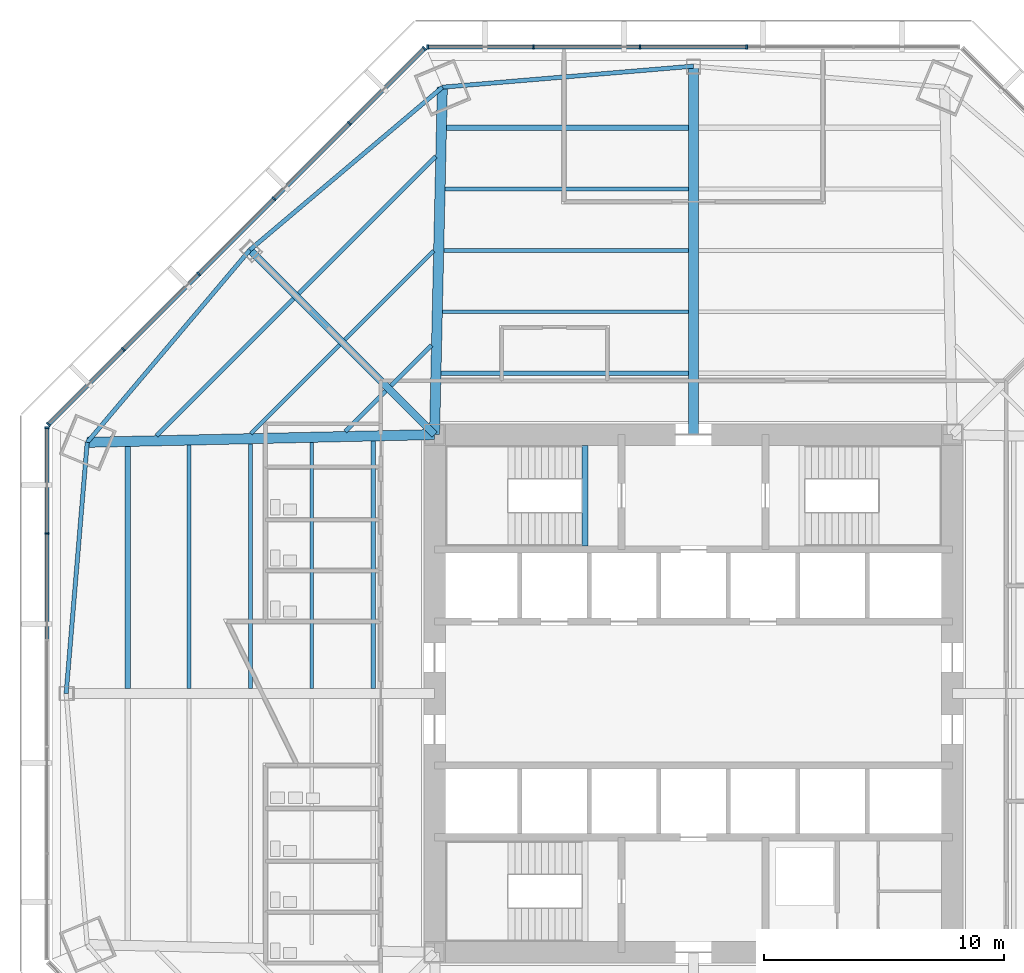
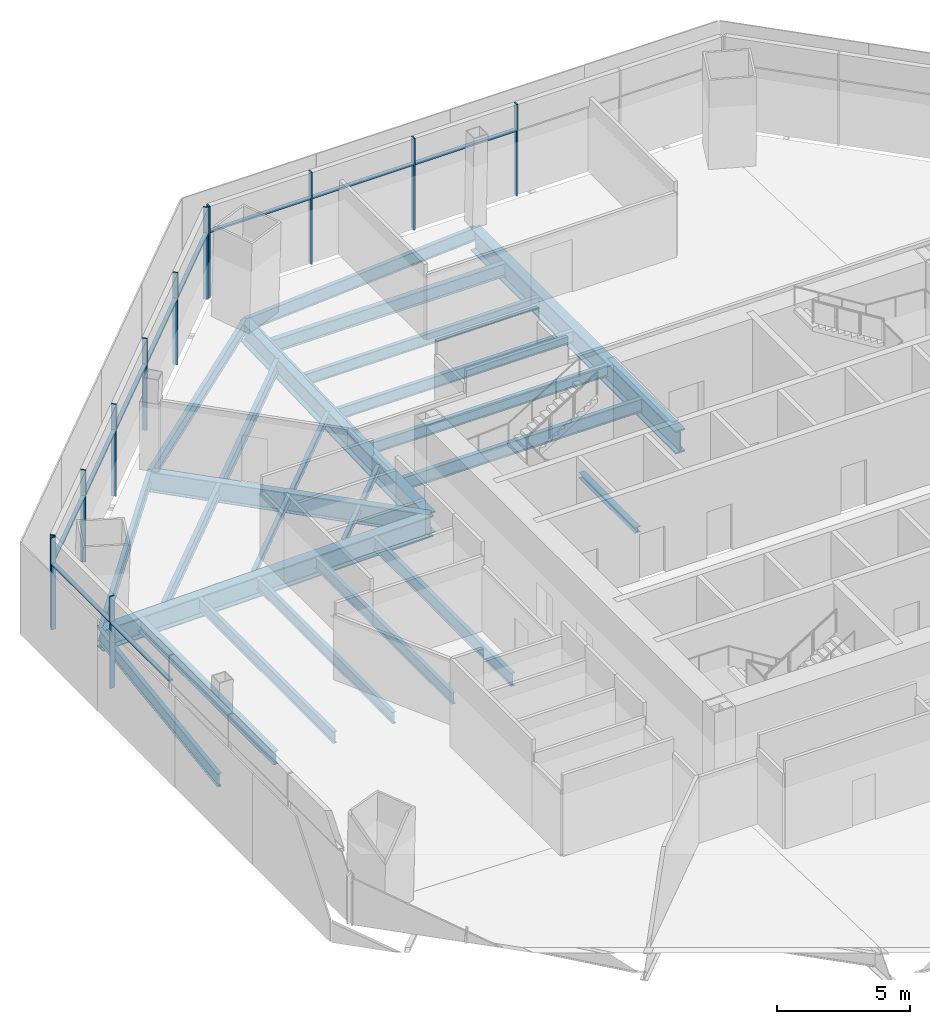
# One storey, part 5 of 15: 25 beams, 22 members, 3 elements without a shape of their own.
"""IFC4 building model written with IfcOpenShell, lengths in metres."""

from ifc_helpers import new_model, si_unit, direction, frame, origin, origin_2d, place, context, subcontext, project, spatial, rectangle, i_section, extrude, source, transform, mapped, material, material_profile, profile_set, type_object, type_shapes, element, aggregate, save


model = new_model("IFC4")

# Units and contexts
model_context = context("Model", 3, precision=1e-05, world=origin(), true_north=direction((0.0, 1.0)))
body_context = subcontext(model_context, "Body", "Model", "MODEL_VIEW")
ifc_project = project(units=[si_unit("LENGTHUNIT", "METRE"), si_unit("AREAUNIT", "SQUARE_METRE"), si_unit("VOLUMEUNIT", "CUBIC_METRE"), si_unit("PLANEANGLEUNIT", "RADIAN"), si_unit("MASSUNIT", "GRAM", prefix="KILO")], contexts=[model_context])

# Site, building, storey
site_placement = place(None, origin())
site = spatial("IfcSite", under=ifc_project, at=site_placement, CompositionType="ELEMENT")
building_placement = place(site_placement, origin())
building = spatial("IfcBuilding", under=site, at=building_placement, Name="Mashrafa Tower", CompositionType="ELEMENT")
storey_placement = place(building_placement, frame((0.0, 0.0, 37.199951171875)))
storey = spatial("IfcBuildingStorey", under=building, at=storey_placement, Name="L07", CompositionType="ELEMENT", Elevation=37.199951171875)

# Beams
ifc_material_1 = material(Name="Steel ASTM A992", Category="steel")
ifc_material_profile_1 = material_profile(ifc_material_1, i_section(OverallWidth=0.164794921875, OverallDepth=0.309814453125, WebThickness=0.005859375, FlangeThickness=0.009765625, FilletRadius=0.007568359375, at=origin_2d()), Name="W12X26")
ifc_profile_set_1 = profile_set([ifc_material_profile_1], Name="Steel ASTM A992")
beam_type_1 = type_object("IfcBeamType", Name="Beam W12X26", PredefinedType="BEAM", material=ifc_profile_set_1)
beam_1_placement = place(storey_placement, frame((-18.462646484375, 10.84033203125, -0.31982421875), z_axis=(0.707106781187, 0.707106781187, 0.0), x_axis=(-0.707106781187, 0.707106781187, 0.0)))
element("IfcBeam", 1, at=beam_1_placement, inside=storey, type_object=beam_type_1, Name="Floor beam L07 006", PredefinedType="BEAM", context=body_context, shape_type="SweptSolid", body=[
    extrude(i_section(OverallWidth=0.164794921875, OverallDepth=0.309814453125, WebThickness=0.005859375, FlangeThickness=0.009765625, FilletRadius=0.007568359375, at=origin_2d()), origin(), (0.0, 0.0, 1.0), 5.236083984375),
])
beam_2_placement = place(storey_placement, frame((-14.522705078125, 10.9287109375, -0.31982421875), z_axis=(0.707106781187, 0.707106781187, 0.0), x_axis=(-0.707106781187, 0.707106781187, 0.0)))
element("IfcBeam", 2, at=beam_2_placement, inside=storey, type_object=beam_type_1, Name="Floor beam L07 013", PredefinedType="BEAM", context=body_context, shape_type="SweptSolid", body=[
    extrude(i_section(OverallWidth=0.164794921875, OverallDepth=0.309814453125, WebThickness=0.005859375, FlangeThickness=0.009765625, FilletRadius=0.007568359375, at=origin_2d()), origin(), (0.0, 0.0, 1.0), 2.387451171875),
])
beam_3_placement = place(storey_placement, frame((-14.542724609375, 14.76025390625, -0.31982421875), z_axis=(0.707106781187, 0.707106781187, 0.0), x_axis=(-0.707106781187, 0.707106781187, 0.0)))
element("IfcBeam", 3, at=beam_3_placement, inside=storey, type_object=beam_type_1, Name="Floor beam L07 015", PredefinedType="BEAM", context=body_context, shape_type="SweptSolid", body=[
    extrude(i_section(OverallWidth=0.164794921875, OverallDepth=0.309814453125, WebThickness=0.005859375, FlangeThickness=0.009765625, FilletRadius=0.007568359375, at=origin_2d()), origin(), (0.0, 0.0, 1.0), 5.236083984375),
])
beam_4_placement = place(storey_placement, frame((-12.616943359375, 12.83447265625, -0.31982421875), z_axis=(0.707106781187, 0.707106781187, 0.0), x_axis=(-0.707106781187, 0.707106781187, 0.0)))
element("IfcBeam", 4, at=beam_4_placement, inside=storey, type_object=beam_type_1, Name="Floor beam L07 019", PredefinedType="BEAM", context=body_context, shape_type="SweptSolid", body=[
    extrude(i_section(OverallWidth=0.164794921875, OverallDepth=0.309814453125, WebThickness=0.005859375, FlangeThickness=0.009765625, FilletRadius=0.007568359375, at=origin_2d()), origin(), (0.0, 0.0, 1.0), 2.387451171875),
])
ifc_material_2 = material(Name="Steel ASTM A992", Category="steel")
ifc_material_profile_2 = material_profile(ifc_material_2, i_section(OverallWidth=0.165771484375, OverallDepth=0.5283203125, WebThickness=0.009765625, FlangeThickness=0.013671875, FilletRadius=0.012939453125, at=origin_2d()), Name="W21X50")
ifc_profile_set_2 = profile_set([ifc_material_profile_2], Name="Steel ASTM A992")
beam_type_2 = type_object("IfcBeamType", Name="Beam W21X50", PredefinedType="BEAM", material=ifc_profile_set_2)
beam_5_placement = place(storey_placement, frame((-21.044677734375, 0.20458984375, -0.42919921875), z_axis=(0.0, 1.0, 0.0), x_axis=(-1.0, 0.0, 0.0)))
element("IfcBeam", 5, at=beam_5_placement, inside=storey, type_object=beam_type_2, Name="Floor beam L07 005", PredefinedType="BEAM", context=body_context, shape_type="SweptSolid", body=[
    extrude(i_section(OverallWidth=0.165771484375, OverallDepth=0.5283203125, WebThickness=0.009765625, FlangeThickness=0.013671875, FilletRadius=0.012939453125, at=origin_2d()), origin(), (0.0, 0.0, 1.0), 10.153564453125),
])
beam_6_placement = place(storey_placement, frame((-18.4833984375, 0.20458984375, -0.42919921875), z_axis=(0.0, 1.0, 0.0), x_axis=(-1.0, 0.0, 0.0)))
element("IfcBeam", 6, at=beam_6_placement, inside=storey, type_object=beam_type_2, Name="Floor beam L07 008", PredefinedType="BEAM", context=body_context, shape_type="SweptSolid", body=[
    extrude(i_section(OverallWidth=0.165771484375, OverallDepth=0.5283203125, WebThickness=0.009765625, FlangeThickness=0.013671875, FilletRadius=0.012939453125, at=origin_2d()), origin(), (0.0, 0.0, 1.0), 10.2109375),
])
for number, where, z_axis, x_axis, name in (
    (7, (-15.92236328125, 0.20458984375, -0.42919921875), (0.0, 1.0, 0.0), (-1.0, 0.0, 0.0), "Floor beam L07 012"),
    (8, (-10.472900390625, 15.92236328125, -0.42919921875), (1.0, 0.0, 0.0), (0.0, 1.0, 0.0), "Floor beam L07 022"),
):
    element("IfcBeam", number, at=place(storey_placement, frame(where, z_axis=z_axis, x_axis=x_axis)), inside=storey, type_object=beam_type_2, Name=name, PredefinedType="BEAM", context=body_context, shape_type="SweptSolid", body=[
        extrude(i_section(OverallWidth=0.165771484375, OverallDepth=0.5283203125, WebThickness=0.009765625, FlangeThickness=0.013671875, FilletRadius=0.012939453125, at=origin_2d()), origin(), (0.0, 0.0, 1.0), 10.268310546875),
    ])
beam_7_placement = place(storey_placement, frame((-10.41552734375, 18.4833984375, -0.42919921875), z_axis=(1.0, 0.0, 0.0), x_axis=(0.0, 1.0, 0.0)))
element("IfcBeam", 9, at=beam_7_placement, inside=storey, type_object=beam_type_2, Name="Floor beam L07 023", PredefinedType="BEAM", context=body_context, shape_type="SweptSolid", body=[
    extrude(i_section(OverallWidth=0.165771484375, OverallDepth=0.5283203125, WebThickness=0.009765625, FlangeThickness=0.013671875, FilletRadius=0.012939453125, at=origin_2d()), origin(), (0.0, 0.0, 1.0), 10.2109375),
])
beam_8_placement = place(storey_placement, frame((-10.358154296875, 21.044677734375, -0.42919921875), z_axis=(1.0, 0.0, 0.0), x_axis=(0.0, 1.0, 0.0)))
element("IfcBeam", 10, at=beam_8_placement, inside=storey, type_object=beam_type_2, Name="Floor beam L07 025", PredefinedType="BEAM", context=body_context, shape_type="SweptSolid", body=[
    extrude(i_section(OverallWidth=0.165771484375, OverallDepth=0.5283203125, WebThickness=0.009765625, FlangeThickness=0.013671875, FilletRadius=0.012939453125, at=origin_2d()), origin(), (0.0, 0.0, 1.0), 10.153564453125),
])
ifc_material_3 = material(Name="Steel ASTM A992", Category="steel")
ifc_material_profile_3 = material_profile(ifc_material_3, i_section(OverallWidth=0.177978515625, OverallDepth=0.599365234375, WebThickness=0.010009765625, FlangeThickness=0.012939453125, FilletRadius=0.012939453125, at=origin_2d()), Name="W24X55")
ifc_profile_set_3 = profile_set([ifc_material_profile_3], Name="Steel ASTM A992")
beam_type_3 = type_object("IfcBeamType", Name="Beam W24X55", PredefinedType="BEAM", material=ifc_profile_set_3)
for number, where, z_axis, x_axis, name in (
    (11, (-22.402587890625, 10.751953125, -0.464599609375), (0.707121880143, 0.707091681908, 0.0), (-0.707091681908, 0.707121880143, 0.0), "Floor beam L07 003"),
    (12, (-16.468505859375, 16.685791015625, -0.464599609375), (0.707091681908, 0.707121880143, 0.0), (-0.707121880143, 0.707091681908, 0.0), "Floor beam L07 010"),
):
    element("IfcBeam", number, at=place(storey_placement, frame(where, z_axis=z_axis, x_axis=x_axis)), inside=storey, type_object=beam_type_3, Name=name, PredefinedType="BEAM", context=body_context, shape_type="SweptSolid", body=[
        extrude(i_section(OverallWidth=0.177978515625, OverallDepth=0.599365234375, WebThickness=0.010009765625, FlangeThickness=0.012939453125, FilletRadius=0.012939453125, at=origin_2d()), origin(), (0.0, 0.0, 1.0), 8.084716796875),
    ])
for number, where, z_axis, x_axis, name in (
    (13, (-13.361083984375, 0.20458984375, -0.464599609375), (0.0, 1.0, 0.0), (-1.0, 0.0, 0.0), "Floor beam L07 017"),
    (14, (-10.530517578125, 13.361083984375, -0.464599609375), (1.0, 0.0, 0.0), (0.0, 1.0, 0.0), "Floor beam L07 020"),
):
    element("IfcBeam", number, at=place(storey_placement, frame(where, z_axis=z_axis, x_axis=x_axis)), inside=storey, type_object=beam_type_3, Name=name, PredefinedType="BEAM", context=body_context, shape_type="SweptSolid", body=[
        extrude(i_section(OverallWidth=0.177978515625, OverallDepth=0.599365234375, WebThickness=0.010009765625, FlangeThickness=0.012939453125, FilletRadius=0.012939453125, at=origin_2d()), origin(), (0.0, 0.0, 1.0), 10.325927734375),
    ])
beam_9_placement = place(storey_placement, frame((-25.288818359375, 10.47509765625, -0.464599609375), z_axis=(-0.083541369565, -0.996504309861, 0.0), x_axis=(0.996504309861, -0.083541369565, 0.0)))
element("IfcBeam", 15, at=beam_9_placement, inside=storey, type_object=beam_type_3, Name="Spandrel beam L07 083", PredefinedType="BEAM", context=body_context, shape_type="SweptSolid", body=[
    extrude(i_section(OverallWidth=0.177978515625, OverallDepth=0.599365234375, WebThickness=0.010009765625, FlangeThickness=0.012939453125, FilletRadius=0.012939453125, at=origin_2d()), origin(), (0.0, 0.0, 1.0), 10.511962890625),
])
for number, where, z_axis, x_axis, name in (
    (16, (-18.5029296875, 18.5029296875, -0.464599609375), (-0.645560056719, -0.763709508366, 0.0), (0.763709508366, -0.645560056719, 0.0), "Spandrel beam L07 085"),
    (17, (-10.47509765625, 25.288818359375, -0.464599609375), (-0.763709508366, -0.645560056719, 0.0), (0.645560056719, -0.763709508366, 0.0), "Spandrel beam L07 087"),
):
    element("IfcBeam", number, at=place(storey_placement, frame(where, z_axis=z_axis, x_axis=x_axis)), inside=storey, type_object=beam_type_3, Name=name, PredefinedType="BEAM", context=body_context, shape_type="SweptSolid", body=[
        extrude(i_section(OverallWidth=0.177978515625, OverallDepth=0.599365234375, WebThickness=0.010009765625, FlangeThickness=0.012939453125, FilletRadius=0.012939453125, at=origin_2d()), origin(), (0.0, 0.0, 1.0), 10.51171875),
    ])
beam_10_placement = place(storey_placement, frame((0.0, 26.1669921875, -0.464599609375), z_axis=(-0.996504309861, -0.083541369565, 0.0), x_axis=(0.083541369565, -0.996504309861, 0.0)))
element("IfcBeam", 18, at=beam_10_placement, inside=storey, type_object=beam_type_3, Name="Spandrel beam L07 089", PredefinedType="BEAM", context=body_context, shape_type="SweptSolid", body=[
    extrude(i_section(OverallWidth=0.177978515625, OverallDepth=0.599365234375, WebThickness=0.010009765625, FlangeThickness=0.012939453125, FilletRadius=0.012939453125, at=origin_2d()), origin(), (0.0, 0.0, 1.0), 10.511962890625),
])
ifc_material_4 = material(Name="Steel ASTM A992", Category="steel")
ifc_material_profile_4 = material_profile(ifc_material_4, i_section(OverallWidth=0.227783203125, OverallDepth=0.60205078125, WebThickness=0.010498046875, FlangeThickness=0.014892578125, FilletRadius=0.012939453125, at=origin_2d()), Name="W24X68")
ifc_profile_set_4 = profile_set([ifc_material_profile_4], Name="Steel ASTM A992")
beam_type_4 = type_object("IfcBeamType", Name="Beam W24X68", PredefinedType="BEAM", material=ifc_profile_set_4)
for number, where, z_axis, x_axis, name in (
    (19, (-23.605712890625, 0.20458984375, -0.4658203125), (0.0, 1.0, 0.0), (-1.0, 0.0, 0.0), "Floor beam L07 002"),
    (20, (-10.30078125, 23.605712890625, -0.4658203125), (1.0, 0.0, 0.0), (0.0, 1.0, 0.0), "Floor beam L07 027"),
):
    element("IfcBeam", number, at=place(storey_placement, frame(where, z_axis=z_axis, x_axis=x_axis)), inside=storey, type_object=beam_type_4, Name=name, PredefinedType="BEAM", context=body_context, shape_type="SweptSolid", body=[
        extrude(i_section(OverallWidth=0.227783203125, OverallDepth=0.60205078125, WebThickness=0.010498046875, FlangeThickness=0.014892578125, FilletRadius=0.012939453125, at=origin_2d()), origin(), (0.0, 0.0, 1.0), 10.09619140625),
    ])
ifc_material_5 = material(Name="Steel ASTM A992", Category="steel")
ifc_material_profile_5 = material_profile(ifc_material_5, i_section(OverallWidth=0.307373046875, OverallDepth=0.927001953125, WebThickness=0.01953125, FlangeThickness=0.031982421875, FilletRadius=0.01904296875, at=origin_2d()), Name="W36X194")
ifc_profile_set_5 = profile_set([ifc_material_profile_5], Name="Steel ASTM A992")
beam_type_5 = type_object("IfcBeamType", Name="Beam W36X194", PredefinedType="BEAM", material=ifc_profile_set_5)
beam_11_placement = place(storey_placement, frame((-10.800048828125, 10.800048828125, -0.62841796875), z_axis=(-0.707106781187, 0.707106781187, 0.0), x_axis=(-0.707106781187, -0.707106781187, 0.0)))
element("IfcBeam", 21, at=beam_11_placement, inside=storey, type_object=beam_type_5, Name="Radial girder L07 070", PredefinedType="BEAM", context=body_context, shape_type="SweptSolid", body=[
    extrude(i_section(OverallWidth=0.307373046875, OverallDepth=0.927001953125, WebThickness=0.01953125, FlangeThickness=0.031982421875, FilletRadius=0.01904296875, at=origin_2d()), origin(), (0.0, 0.0, 1.0), 10.8935546875),
])
ifc_material_6 = material(Name="Steel ASTM A992", Category="steel")
ifc_material_profile_6 = material_profile(ifc_material_6, i_section(OverallWidth=0.424072265625, OverallDepth=0.960205078125, WebThickness=0.028564453125, FlangeThickness=0.051025390625, FilletRadius=0.02001953125, at=origin_2d()), Name="W36X361")
ifc_profile_set_6 = profile_set([ifc_material_profile_6], Name="Steel ASTM A992")
beam_type_6 = type_object("IfcBeamType", Name="Beam W36X361", PredefinedType="BEAM", material=ifc_profile_set_6)
for number, where, z_axis, x_axis, name in (
    (22, (-10.800048828125, 10.800048828125, -0.64501953125), (-0.999748591817, -0.022422157782, 0.0), (0.022422157782, -0.999748591817, 0.0), "Radial girder L07 069"),
    (23, (-10.800048828125, 10.800048828125, -0.64501953125), (0.022422157782, 0.999748591817, 0.0), (-0.999748591817, 0.022422157782, 0.0), "Radial girder L07 071"),
):
    element("IfcBeam", number, at=place(storey_placement, frame(where, z_axis=z_axis, x_axis=x_axis)), inside=storey, type_object=beam_type_6, Name=name, PredefinedType="BEAM", context=body_context, shape_type="SweptSolid", body=[
        extrude(i_section(OverallWidth=0.424072265625, OverallDepth=0.960205078125, WebThickness=0.028564453125, FlangeThickness=0.051025390625, FilletRadius=0.02001953125, at=origin_2d()), origin(), (0.0, 0.0, 1.0), 14.492431640625),
    ])
ifc_material_7 = material(Name="Steel ASTM A992", Category="steel")
ifc_material_profile_7 = material_profile(ifc_material_7, i_section(OverallWidth=0.408935546875, OverallDepth=1.04150390625, WebThickness=0.031005859375, FlangeThickness=0.055908203125, FilletRadius=0.020263671875, at=origin_2d()), Name="W40X397")
ifc_profile_set_7 = profile_set([ifc_material_profile_7], Name="Steel ASTM A992")
beam_type_7 = type_object("IfcBeamType", Name="Beam W40X397", PredefinedType="BEAM", material=ifc_profile_set_7)
beam_12_placement = place(storey_placement, frame((0.0, 10.800048828125, -0.685546875), z_axis=(0.0, 1.0, 0.0), x_axis=(-1.0, 0.0, 0.0)))
element("IfcBeam", 24, at=beam_12_placement, inside=storey, type_object=beam_type_7, Name="Radial girder L07 073", PredefinedType="BEAM", context=body_context, shape_type="SweptSolid", body=[
    extrude(i_section(OverallWidth=0.408935546875, OverallDepth=1.04150390625, WebThickness=0.031005859375, FlangeThickness=0.055908203125, FilletRadius=0.020263671875, at=origin_2d()), origin(), (0.0, 0.0, 1.0), 15.366943359375),
])
ifc_material_8 = material(Name="Steel ASTM A992", Category="steel")
ifc_material_profile_8 = material_profile(ifc_material_8, i_section(OverallWidth=0.25390625, OverallDepth=0.25390625, WebThickness=0.008544921875, FlangeThickness=0.01416015625, FilletRadius=0.010009765625, at=origin_2d()), Name="W10X49")
ifc_profile_set_8 = profile_set([ifc_material_profile_8], Name="Steel ASTM A992")
beam_type_8 = type_object("IfcBeamType", Name="Hoistway beam W10X49", PredefinedType="BEAM", material=ifc_profile_set_8)
beam_13_placement = place(storey_placement, frame((-4.530029296875, 6.14990234375, -0.326904296875), z_axis=(0.0, 1.0, 0.0), x_axis=(-1.0, 0.0, 0.0)))
element("IfcBeam", 25, at=beam_13_placement, inside=storey, type_object=beam_type_8, Name="Stair S1 landing beam L07", PredefinedType="BEAM", context=body_context, shape_type="SweptSolid", body=[
    extrude(i_section(OverallWidth=0.25390625, OverallDepth=0.25390625, WebThickness=0.008544921875, FlangeThickness=0.01416015625, FilletRadius=0.010009765625, at=origin_2d()), origin(), (0.0, 0.0, 1.0), 4.2001953125),
])

# Curtain wall, members
ifc_material_9 = material(Name="Unitised aluminium curtain wall", Category="aluminium")
curtain_wall_type = type_object("IfcCurtainWallType", Name="Office curtain wall, zone 1 CW-A 200 deep", PredefinedType="NOTDEFINED", material=ifc_material_9)
curtain_wall_1_placement = place(storey_placement, origin())
curtain_wall_1 = element("IfcCurtainWall", 26, at=curtain_wall_1_placement, inside=storey, type_object=curtain_wall_type, Name="Office curtain wall, zone 1 L07 north", PredefinedType="NOTDEFINED")
ifc_material_10 = material(Name="Extruded aluminium mullion", Category="aluminium")
ifc_material_profile_9 = material_profile(ifc_material_10, rectangle(XDim=0.199951171875, YDim=0.06494140625, at=origin_2d()), Name="Mullion 65x200")
ifc_profile_set_9 = profile_set([ifc_material_profile_9], Name="Extruded aluminium mullion")
member_type_1 = type_object("IfcMemberType", Name="Mullion CW-A 65 x 200", PredefinedType="MULLION", material=ifc_profile_set_9)
shared_shape_1 = source(origin(), body_context, "Body", "SweptSolid", [
    extrude(rectangle(XDim=0.199951171875, YDim=0.06494140625, at=origin_2d()), origin(), (0.0, 0.0, 1.0), 4.199951171875),
])
type_shapes(member_type_1, [shared_shape_1])
member_1_placement = place(storey_placement, frame((2.223388671875, 26.96240234375, 0.0), z_axis=(0.0, 0.0, 1.0), x_axis=(0.0, -1.0, 0.0)))
member_1 = element("IfcMember", 27, at=member_1_placement, type_object=member_type_1, Name="CW-A mullion 3", PredefinedType="MULLION", context=body_context, shape_type="MappedRepresentation", body=[
    mapped(shared_shape_1, transform((0.0, 0.0, 0.0))),
])
member_2_placement = place(storey_placement, frame((-2.223388671875, 26.96240234375, 0.0), z_axis=(0.0, 0.0, 1.0), x_axis=(0.0, -1.0, 0.0)))
member_2 = element("IfcMember", 28, at=member_2_placement, type_object=member_type_1, Name="CW-A mullion 4", PredefinedType="MULLION", context=body_context, shape_type="MappedRepresentation", body=[
    mapped(shared_shape_1, transform((0.0, 0.0, 0.0))),
])
member_3_placement = place(storey_placement, frame((-6.670166015625, 26.96240234375, 0.0), z_axis=(0.0, 0.0, 1.0), x_axis=(0.0, -1.0, 0.0)))
member_3 = element("IfcMember", 29, at=member_3_placement, type_object=member_type_1, Name="CW-A mullion 5", PredefinedType="MULLION", context=body_context, shape_type="MappedRepresentation", body=[
    mapped(shared_shape_1, transform((0.0, 0.0, 0.0))),
])
member_4_placement = place(storey_placement, frame((-11.084228515625, 26.96240234375, 0.0), z_axis=(0.0, 0.0, 1.0), x_axis=(0.0, -1.0, 0.0)))
member_4 = element("IfcMember", 30, at=member_4_placement, type_object=member_type_1, Name="CW-A mullion 6", PredefinedType="MULLION", context=body_context, shape_type="MappedRepresentation", body=[
    mapped(shared_shape_1, transform((0.0, 0.0, 0.0))),
])

curtain_wall_2_placement = place(storey_placement, origin())
curtain_wall_2 = element("IfcCurtainWall", 31, at=curtain_wall_2_placement, inside=storey, type_object=curtain_wall_type, Name="Office curtain wall, zone 1 L07 north-west", PredefinedType="NOTDEFINED")
member_5_placement = place(storey_placement, frame((-11.2275390625, 26.903076171875, 0.0), z_axis=(0.0, 0.0, 1.0), x_axis=(0.707106781187, -0.707106781187, 0.0)))
member_5 = element("IfcMember", 32, at=member_5_placement, type_object=member_type_1, Name="CW-A mullion 1", PredefinedType="MULLION", context=body_context, shape_type="MappedRepresentation", body=[
    mapped(shared_shape_1, transform((0.0, 0.0, 0.0))),
])
member_6_placement = place(storey_placement, frame((-14.348876953125, 23.78173828125, 0.0), z_axis=(0.0, 0.0, 1.0), x_axis=(0.707106781187, -0.707106781187, 0.0)))
member_6 = element("IfcMember", 33, at=member_6_placement, type_object=member_type_1, Name="CW-A mullion 2", PredefinedType="MULLION", context=body_context, shape_type="MappedRepresentation", body=[
    mapped(shared_shape_1, transform((0.0, 0.0, 0.0))),
])
member_7_placement = place(storey_placement, frame((-17.4931640625, 20.637451171875, 0.0), z_axis=(0.0, 0.0, 1.0), x_axis=(0.707106781187, -0.707106781187, 0.0)))
member_7 = element("IfcMember", 34, at=member_7_placement, type_object=member_type_1, Name="CW-A mullion 3", PredefinedType="MULLION", context=body_context, shape_type="MappedRepresentation", body=[
    mapped(shared_shape_1, transform((0.0, 0.0, 0.0))),
])
member_8_placement = place(storey_placement, frame((-20.637451171875, 17.4931640625, 0.0), z_axis=(0.0, 0.0, 1.0), x_axis=(0.707106781187, -0.707106781187, 0.0)))
member_8 = element("IfcMember", 35, at=member_8_placement, type_object=member_type_1, Name="CW-A mullion 4", PredefinedType="MULLION", context=body_context, shape_type="MappedRepresentation", body=[
    mapped(shared_shape_1, transform((0.0, 0.0, 0.0))),
])
member_9_placement = place(storey_placement, frame((-23.78173828125, 14.348876953125, 0.0), z_axis=(0.0, 0.0, 1.0), x_axis=(0.707106781187, -0.707106781187, 0.0)))
member_9 = element("IfcMember", 36, at=member_9_placement, type_object=member_type_1, Name="CW-A mullion 5", PredefinedType="MULLION", context=body_context, shape_type="MappedRepresentation", body=[
    mapped(shared_shape_1, transform((0.0, 0.0, 0.0))),
])
member_10_placement = place(storey_placement, frame((-26.903076171875, 11.2275390625, 0.0), z_axis=(0.0, 0.0, 1.0), x_axis=(0.707106781187, -0.707106781187, 0.0)))
member_10 = element("IfcMember", 37, at=member_10_placement, type_object=member_type_1, Name="CW-A mullion 6", PredefinedType="MULLION", context=body_context, shape_type="MappedRepresentation", body=[
    mapped(shared_shape_1, transform((0.0, 0.0, 0.0))),
])

curtain_wall_3_placement = place(storey_placement, origin())
curtain_wall_3 = element("IfcCurtainWall", 38, at=curtain_wall_3_placement, inside=storey, type_object=curtain_wall_type, Name="Office curtain wall, zone 1 L07 west", PredefinedType="NOTDEFINED")
member_11_placement = place(storey_placement, frame((-26.96240234375, 11.084228515625, 0.0), z_axis=(0.0, 0.0, 1.0), x_axis=(1.0, 0.0, 0.0)))
member_11 = element("IfcMember", 39, at=member_11_placement, type_object=member_type_1, Name="CW-A mullion 1", PredefinedType="MULLION", context=body_context, shape_type="MappedRepresentation", body=[
    mapped(shared_shape_1, transform((0.0, 0.0, 0.0))),
])
member_12_placement = place(storey_placement, frame((-26.96240234375, 6.670166015625, 0.0), z_axis=(0.0, 0.0, 1.0), x_axis=(1.0, 0.0, 0.0)))
member_12 = element("IfcMember", 40, at=member_12_placement, type_object=member_type_1, Name="CW-A mullion 2", PredefinedType="MULLION", context=body_context, shape_type="MappedRepresentation", body=[
    mapped(shared_shape_1, transform((0.0, 0.0, 0.0))),
])

# Member
ifc_material_11 = material(Name="Extruded aluminium transom", Category="aluminium")
ifc_material_profile_10 = material_profile(ifc_material_11, rectangle(XDim=0.159912109375, YDim=0.080078125, at=origin_2d()), Name="Transom 80x160")
ifc_profile_set_10 = profile_set([ifc_material_profile_10], Name="Extruded aluminium transom")
member_type_2 = type_object("IfcMemberType", Name="Transom CW-A 80 x 160", PredefinedType="MULLION", material=ifc_profile_set_10)
shared_shape_2 = source(origin(), body_context, "Body", "SweptSolid", [
    extrude(rectangle(XDim=0.159912109375, YDim=0.080078125, at=origin_2d()), origin(), (0.0, 0.0, 1.0), 4.34912109375),
])
member_13_placement = place(storey_placement, frame((-6.70263671875, 26.96240234375, 3.0), z_axis=(-1.0, 0.0, 0.0), x_axis=(0.0, -1.0, 0.0)))
member_13 = element("IfcMember", 41, at=member_13_placement, type_object=member_type_2, Name="CW-A transom 5", PredefinedType="MULLION", context=body_context, shape_type="MappedRepresentation", body=[
    mapped(shared_shape_2, transform((0.0, 0.0, 0.0))),
])

member_14_placement = place(storey_placement, frame((-26.96240234375, 11.0517578125, 3.0), z_axis=(0.0, -1.0, 0.0), x_axis=(1.0, 0.0, 0.0)))
member_14 = element("IfcMember", 42, at=member_14_placement, type_object=member_type_2, Name="CW-A transom 1", PredefinedType="MULLION", context=body_context, shape_type="MappedRepresentation", body=[
    mapped(shared_shape_2, transform((0.0, 0.0, 0.0))),
])

shared_shape_3 = source(origin(), body_context, "Body", "SweptSolid", [
    extrude(rectangle(XDim=0.159912109375, YDim=0.080078125, at=origin_2d()), origin(), (0.0, 0.0, 1.0), 4.381591796875),
])
member_15_placement = place(storey_placement, frame((-2.255859375, 26.96240234375, 3.0), z_axis=(-1.0, 0.0, 0.0), x_axis=(0.0, -1.0, 0.0)))
member_15 = element("IfcMember", 43, at=member_15_placement, type_object=member_type_2, Name="CW-A transom 4", PredefinedType="MULLION", context=body_context, shape_type="MappedRepresentation", body=[
    mapped(shared_shape_3, transform((0.0, 0.0, 0.0))),
])

member_16_placement = place(storey_placement, frame((-26.96240234375, 6.637451171875, 3.0), z_axis=(0.0, -1.0, 0.0), x_axis=(1.0, 0.0, 0.0)))
member_16 = element("IfcMember", 44, at=member_16_placement, type_object=member_type_2, Name="CW-A transom 2", PredefinedType="MULLION", context=body_context, shape_type="MappedRepresentation", body=[
    mapped(shared_shape_3, transform((0.0, 0.0, 0.0))),
])

aggregate(curtain_wall_3, [member_11, member_12, member_14, member_16])

shared_shape_4 = source(origin(), body_context, "Body", "SweptSolid", [
    extrude(rectangle(XDim=0.159912109375, YDim=0.080078125, at=origin_2d()), origin(), (0.0, 0.0, 1.0), 4.3818359375),
])
member_17_placement = place(storey_placement, frame((2.19091796875, 26.96240234375, 3.0), z_axis=(-1.0, 0.0, 0.0), x_axis=(0.0, -1.0, 0.0)))
member_17 = element("IfcMember", 45, at=member_17_placement, type_object=member_type_2, Name="CW-A transom 3", PredefinedType="MULLION", context=body_context, shape_type="MappedRepresentation", body=[
    mapped(shared_shape_4, transform((0.0, 0.0, 0.0))),
])

aggregate(curtain_wall_1, [member_1, member_2, member_3, member_4, member_17, member_15, member_13])

member_18_placement = place(storey_placement, frame((-14.371826171875, 23.7587890625, 3.0), z_axis=(-0.707106781187, -0.707106781187, 0.0), x_axis=(0.707106781187, -0.707106781187, 0.0)))
member_18 = element("IfcMember", 46, at=member_18_placement, type_object=member_type_2, Name="CW-A transom 2", PredefinedType="MULLION", context=body_context, shape_type="MappedRepresentation", body=[
    mapped(shared_shape_4, transform((0.0, 0.0, 0.0))),
])

member_19_placement = place(storey_placement, frame((-17.51611328125, 20.614501953125, 3.0), z_axis=(-0.707106781187, -0.707106781187, 0.0), x_axis=(0.707106781187, -0.707106781187, 0.0)))
member_19 = element("IfcMember", 47, at=member_19_placement, type_object=member_type_2, Name="CW-A transom 3", PredefinedType="MULLION", context=body_context, shape_type="MappedRepresentation", body=[
    mapped(shared_shape_4, transform((0.0, 0.0, 0.0))),
])

member_20_placement = place(storey_placement, frame((-20.660400390625, 17.47021484375, 3.0), z_axis=(-0.707106781187, -0.707106781187, 0.0), x_axis=(0.707106781187, -0.707106781187, 0.0)))
member_20 = element("IfcMember", 48, at=member_20_placement, type_object=member_type_2, Name="CW-A transom 4", PredefinedType="MULLION", context=body_context, shape_type="MappedRepresentation", body=[
    mapped(shared_shape_4, transform((0.0, 0.0, 0.0))),
])

shared_shape_5 = source(origin(), body_context, "Body", "SweptSolid", [
    extrude(rectangle(XDim=0.159912109375, YDim=0.080078125, at=origin_2d()), origin(), (0.0, 0.0, 1.0), 4.349365234375),
])
type_shapes(member_type_2, [shared_shape_2, shared_shape_3, shared_shape_4, shared_shape_5])
member_21_placement = place(storey_placement, frame((-11.25048828125, 26.880126953125, 3.0), z_axis=(-0.707106781187, -0.707106781187, 0.0), x_axis=(0.707106781187, -0.707106781187, 0.0)))
member_21 = element("IfcMember", 49, at=member_21_placement, type_object=member_type_2, Name="CW-A transom 1", PredefinedType="MULLION", context=body_context, shape_type="MappedRepresentation", body=[
    mapped(shared_shape_5, transform((0.0, 0.0, 0.0))),
])

member_22_placement = place(storey_placement, frame((-23.8046875, 14.325927734375, 3.0), z_axis=(-0.707106781187, -0.707106781187, 0.0), x_axis=(0.707106781187, -0.707106781187, 0.0)))
member_22 = element("IfcMember", 50, at=member_22_placement, type_object=member_type_2, Name="CW-A transom 5", PredefinedType="MULLION", context=body_context, shape_type="MappedRepresentation", body=[
    mapped(shared_shape_5, transform((0.0, 0.0, 0.0))),
])

aggregate(curtain_wall_2, [member_5, member_6, member_7, member_8, member_9, member_10, member_21, member_18, member_19, member_20, member_22])

save(model, "model.ifc")
